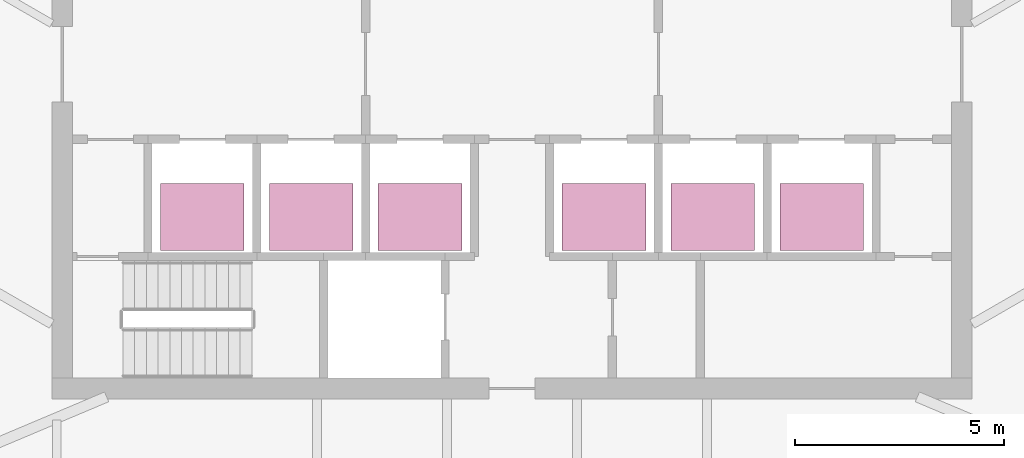
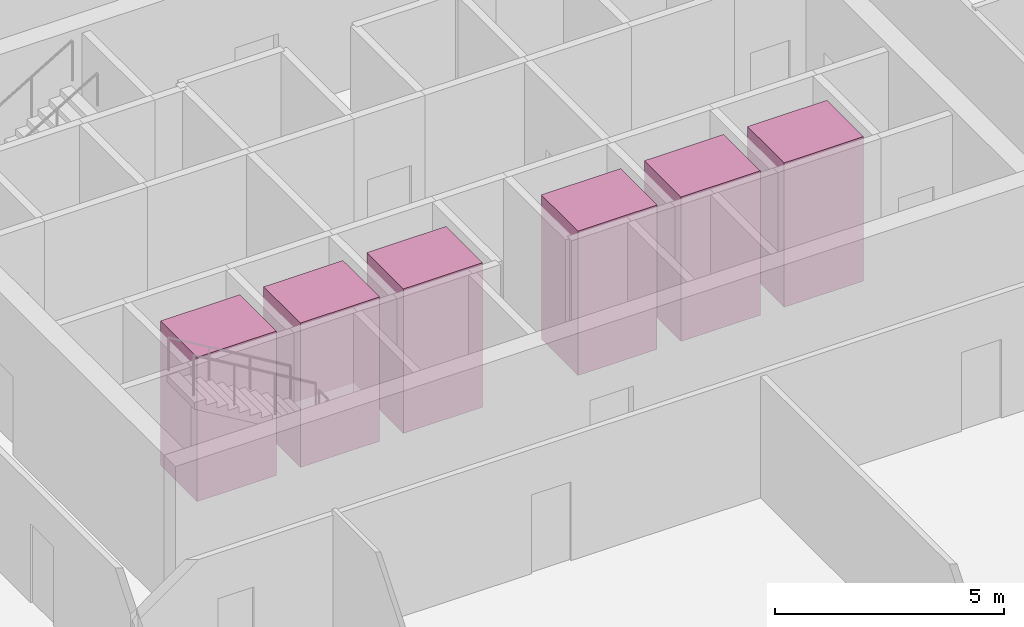
# One storey, part 18 of 18: 6 transport elements.
"""IFC4 building model written with IfcOpenShell, lengths in metres."""

from ifc_helpers import new_model, si_unit, direction, frame, origin, origin_2d, place, context, subcontext, project, spatial, rectangle, extrude, material, type_object, element, save


model = new_model("IFC4")

# Units and contexts
model_context = context("Model", 3, precision=1e-05, world=origin(), true_north=direction((0.0, 1.0)))
body_context = subcontext(model_context, "Body", "Model", "MODEL_VIEW")
ifc_project = project(units=[si_unit("LENGTHUNIT", "METRE"), si_unit("AREAUNIT", "SQUARE_METRE"), si_unit("VOLUMEUNIT", "CUBIC_METRE"), si_unit("PLANEANGLEUNIT", "RADIAN"), si_unit("MASSUNIT", "GRAM", prefix="KILO")], contexts=[model_context])

# Site, building, storey
site_placement = place(None, origin())
site = spatial("IfcSite", under=ifc_project, at=site_placement, CompositionType="ELEMENT")
building_placement = place(site_placement, origin())
building = spatial("IfcBuilding", under=site, at=building_placement, Name="Sierra Prisma Convention Tower", CompositionType="ELEMENT")
storey_placement = place(building_placement, frame((0.0, 0.0, 133.800048828125)))
storey = spatial("IfcBuildingStorey", under=building, at=storey_placement, Name="L28", CompositionType="ELEMENT", Elevation=133.800048828125)

# Transport elements
ifc_material = material(Name="Stainless steel", Category="steel")
transport_element_type = type_object("IfcTransportElementType", Name="Lift car office low 2000x1600 1600 kg", PredefinedType="ELEVATOR", material=ifc_material)
for number, where, z_axis, x_axis, name in (
    (1, (-7.39990234375, -3.64990234375, 0.0), (0.0, 0.0, 1.0), (1.0, 0.0, 0.0), "Lift OL1"),
    (2, (-4.800048828125, -3.64990234375, 0.0), (0.0, 0.0, 1.0), (1.0, 0.0, 0.0), "Lift OL2"),
    (3, (-2.199951171875, -3.64990234375, 0.0), (0.0, 0.0, 1.0), (1.0, 0.0, 0.0), "Lift OL3"),
    (4, (2.199951171875, -3.64990234375, 0.0), (0.0, 0.0, 1.0), (1.0, 0.0, 0.0), "Lift OL4"),
    (5, (4.800048828125, -3.64990234375, 0.0), (0.0, 0.0, 1.0), (1.0, 0.0, 0.0), "Lift OL5"),
    (6, (7.39990234375, -3.64990234375, 0.0), (0.0, 0.0, 1.0), (1.0, 0.0, 0.0), "Lift OL6"),
):
    element("IfcTransportElement", number, at=place(storey_placement, frame(where, z_axis=z_axis, x_axis=x_axis)), inside=storey, type_object=transport_element_type, Name=name, PredefinedType="ELEVATOR", context=body_context, shape_type="SweptSolid", body=[
        extrude(rectangle(XDim=2.0, YDim=1.60009765625, at=origin_2d()), origin(), (0.0, 0.0, 1.0), 3.85009765625),
    ])

save(model, "model.ifc")
